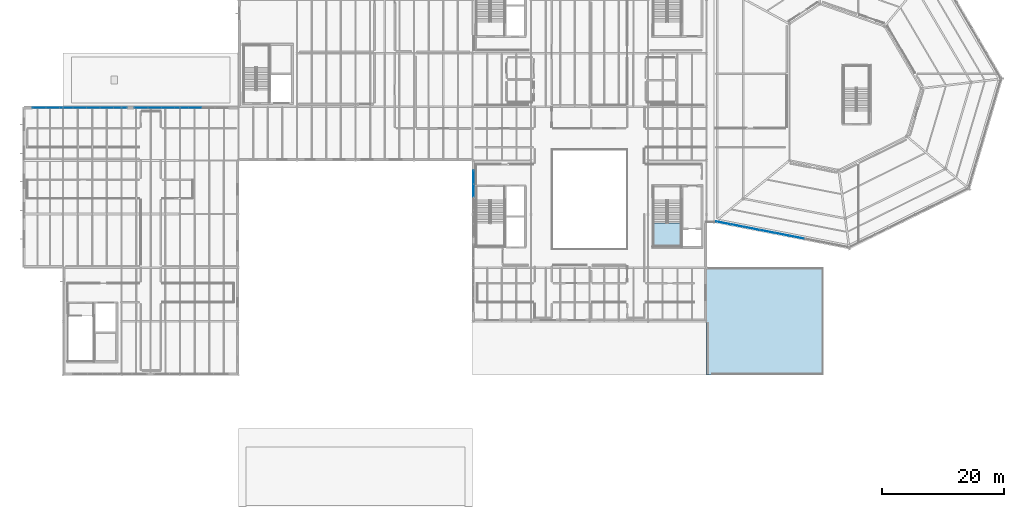
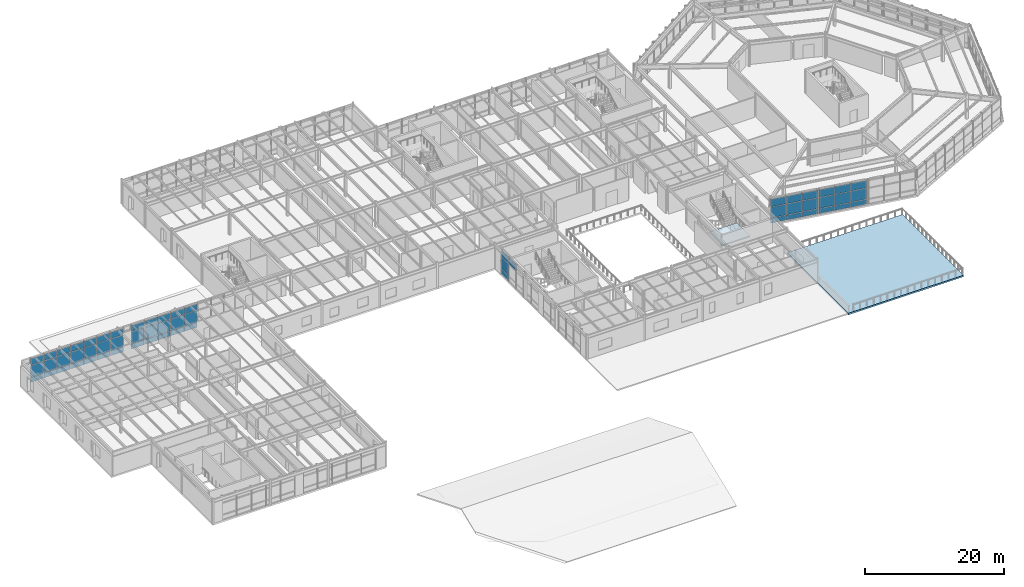
# One storey, part 39 of 69: 58 plates, 2 slabs, 6 elements without a shape of their own.
"""IFC4 building model written with IfcOpenShell, lengths in metres."""

from ifc_helpers import new_model, si_unit, direction, frame, origin, origin_2d, place, context, subcontext, project, spatial, polyline, rectangle, outline, extrude, material, layer, layer_set, type_object, element, aggregate, save


model = new_model("IFC4")

# Units and contexts
model_context = context("Model", 3, precision=1e-05, world=origin(), true_north=direction((0.0, 1.0)))
body_context = subcontext(model_context, "Body", "Model", "MODEL_VIEW")
ifc_project = project(units=[si_unit("LENGTHUNIT", "METRE"), si_unit("AREAUNIT", "SQUARE_METRE"), si_unit("VOLUMEUNIT", "CUBIC_METRE"), si_unit("PLANEANGLEUNIT", "RADIAN"), si_unit("MASSUNIT", "GRAM", prefix="KILO")], contexts=[model_context])

# Site, building, storey
site_placement = place(None, origin())
site = spatial("IfcSite", under=ifc_project, at=site_placement, CompositionType="ELEMENT")
building_placement = place(site_placement, origin())
building = spatial("IfcBuilding", under=site, at=building_placement, Name="Sarnbrook Museum", CompositionType="ELEMENT")
storey_placement = place(building_placement, frame((0.0, 0.0, 14.60009765625)))
storey = spatial("IfcBuildingStorey", under=building, at=storey_placement, Name="L03", CompositionType="ELEMENT", Elevation=14.60009765625)

# Curtain wall, plates
ifc_material_1 = material(Name="Thermally Broken Anodised Aluminium 6063-T6", Category="aluminium")
curtain_wall_type_1 = type_object("IfcCurtainWallType", Name="CurtainWall_CrystalFacet", PredefinedType="NOTDEFINED", material=ifc_material_1)
curtain_wall_1_placement = place(storey_placement, origin())
curtain_wall_1 = element("IfcCurtainWall", 1, at=curtain_wall_1_placement, inside=storey, type_object=curtain_wall_type_1, Name="Crystal Hall Facet Curtain Wall L03-F1.1", PredefinedType="NOTDEFINED")
ifc_material_2 = material(Name="Double-Glazed Low-Iron Laminated Safety Glass", Category="glass")
ifc_layer_1 = layer(ifc_material_2, 0.031982421875)
ifc_layer_set_1 = layer_set([ifc_layer_1], Name="Double-Glazed Low-Iron Laminated Safety Glass")
plate_type_1 = type_object("IfcPlateType", Name="CW_GlazedPanel_32", PredefinedType="CURTAIN_PANEL", material=ifc_layer_set_1)
plate_1_placement = place(storey_placement, frame((121.936279296875, 64.166259765625, 1.875), z_axis=(-0.191314442097, -0.981528799499, 0.0), x_axis=(0.981528799499, -0.191314442097, 0.0)))
plate_1 = element("IfcPlate", 2, at=plate_1_placement, type_object=plate_type_1, Name="Crystal Hall Facet Curtain Wall L03-F1.1 Glazed Panel 1-2", PredefinedType="CURTAIN_PANEL", context=body_context, shape_type="SweptSolid", body=[
    extrude(rectangle(XDim=2.354248046875, YDim=1.8798828125, at=origin_2d()), origin(), (0.0, 0.0, 1.0), 0.031982421875),
])
plate_2_placement = place(storey_placement, frame((121.936279296875, 64.166259765625, 3.544921875), z_axis=(-0.191314442097, -0.981528799499, 0.0), x_axis=(0.981528799499, -0.191314442097, 0.0)))
plate_2 = element("IfcPlate", 3, at=plate_2_placement, type_object=plate_type_1, Name="Crystal Hall Facet Curtain Wall L03-F1.1 Glazed Panel 1-3", PredefinedType="CURTAIN_PANEL", context=body_context, shape_type="SweptSolid", body=[
    extrude(rectangle(XDim=2.354248046875, YDim=1.320068359375, at=origin_2d()), origin(), (0.0, 0.0, 1.0), 0.031982421875),
])
plate_3_placement = place(storey_placement, frame((124.320556640625, 63.701416015625, 1.875), z_axis=(-0.191314442097, -0.981528799499, 0.0), x_axis=(0.981528799499, -0.191314442097, 0.0)))
plate_3 = element("IfcPlate", 4, at=plate_3_placement, type_object=plate_type_1, Name="Crystal Hall Facet Curtain Wall L03-F1.1 Glazed Panel 2-2", PredefinedType="CURTAIN_PANEL", context=body_context, shape_type="SweptSolid", body=[
    extrude(rectangle(XDim=2.354248046875, YDim=1.8798828125, at=origin_2d()), origin(), (0.0, 0.0, 1.0), 0.031982421875),
])
plate_4_placement = place(storey_placement, frame((124.320556640625, 63.701416015625, 3.544921875), z_axis=(-0.191314442097, -0.981528799499, 0.0), x_axis=(0.981528799499, -0.191314442097, 0.0)))
plate_4 = element("IfcPlate", 5, at=plate_4_placement, type_object=plate_type_1, Name="Crystal Hall Facet Curtain Wall L03-F1.1 Glazed Panel 2-3", PredefinedType="CURTAIN_PANEL", context=body_context, shape_type="SweptSolid", body=[
    extrude(rectangle(XDim=2.354248046875, YDim=1.320068359375, at=origin_2d()), origin(), (0.0, 0.0, 1.0), 0.031982421875),
])
plate_5_placement = place(storey_placement, frame((126.705078125, 63.23681640625, 1.875), z_axis=(-0.191314442097, -0.981528799499, 0.0), x_axis=(0.981528799499, -0.191314442097, 0.0)))
plate_5 = element("IfcPlate", 6, at=plate_5_placement, type_object=plate_type_1, Name="Crystal Hall Facet Curtain Wall L03-F1.1 Glazed Panel 3-2", PredefinedType="CURTAIN_PANEL", context=body_context, shape_type="SweptSolid", body=[
    extrude(rectangle(XDim=2.354248046875, YDim=1.8798828125, at=origin_2d()), origin(), (0.0, 0.0, 1.0), 0.031982421875),
])
plate_6_placement = place(storey_placement, frame((126.705078125, 63.23681640625, 3.544921875), z_axis=(-0.191314442097, -0.981528799499, 0.0), x_axis=(0.981528799499, -0.191314442097, 0.0)))
plate_6 = element("IfcPlate", 7, at=plate_6_placement, type_object=plate_type_1, Name="Crystal Hall Facet Curtain Wall L03-F1.1 Glazed Panel 3-3", PredefinedType="CURTAIN_PANEL", context=body_context, shape_type="SweptSolid", body=[
    extrude(rectangle(XDim=2.354248046875, YDim=1.320068359375, at=origin_2d()), origin(), (0.0, 0.0, 1.0), 0.031982421875),
])

curtain_wall_2_placement = place(storey_placement, origin())
curtain_wall_2 = element("IfcCurtainWall", 8, at=curtain_wall_2_placement, inside=storey, type_object=curtain_wall_type_1, Name="Crystal Hall Facet Curtain Wall L03-F1.2", PredefinedType="NOTDEFINED")
plate_7_placement = place(storey_placement, frame((129.246337890625, 62.741455078125, 1.875), z_axis=(-0.191314442097, -0.981528799499, 0.0), x_axis=(0.981528799499, -0.191314442097, 0.0)))
plate_7 = element("IfcPlate", 9, at=plate_7_placement, type_object=plate_type_1, Name="Crystal Hall Facet Curtain Wall L03-F1.2 Glazed Panel 1-2", PredefinedType="CURTAIN_PANEL", context=body_context, shape_type="SweptSolid", body=[
    extrude(rectangle(XDim=2.354248046875, YDim=1.8798828125, at=origin_2d()), origin(), (0.0, 0.0, 1.0), 0.031982421875),
])
plate_8_placement = place(storey_placement, frame((129.246337890625, 62.741455078125, 3.544921875), z_axis=(-0.191314442097, -0.981528799499, 0.0), x_axis=(0.981528799499, -0.191314442097, 0.0)))
plate_8 = element("IfcPlate", 10, at=plate_8_placement, type_object=plate_type_1, Name="Crystal Hall Facet Curtain Wall L03-F1.2 Glazed Panel 1-3", PredefinedType="CURTAIN_PANEL", context=body_context, shape_type="SweptSolid", body=[
    extrude(rectangle(XDim=2.354248046875, YDim=1.320068359375, at=origin_2d()), origin(), (0.0, 0.0, 1.0), 0.031982421875),
])
plate_9_placement = place(storey_placement, frame((131.630615234375, 62.276611328125, 1.875), z_axis=(-0.191314442097, -0.981528799499, 0.0), x_axis=(0.981528799499, -0.191314442097, 0.0)))
plate_9 = element("IfcPlate", 11, at=plate_9_placement, type_object=plate_type_1, Name="Crystal Hall Facet Curtain Wall L03-F1.2 Glazed Panel 2-2", PredefinedType="CURTAIN_PANEL", context=body_context, shape_type="SweptSolid", body=[
    extrude(rectangle(XDim=2.354248046875, YDim=1.8798828125, at=origin_2d()), origin(), (0.0, 0.0, 1.0), 0.031982421875),
])
plate_10_placement = place(storey_placement, frame((131.630615234375, 62.276611328125, 3.544921875), z_axis=(-0.191314442097, -0.981528799499, 0.0), x_axis=(0.981528799499, -0.191314442097, 0.0)))
plate_10 = element("IfcPlate", 12, at=plate_10_placement, type_object=plate_type_1, Name="Crystal Hall Facet Curtain Wall L03-F1.2 Glazed Panel 2-3", PredefinedType="CURTAIN_PANEL", context=body_context, shape_type="SweptSolid", body=[
    extrude(rectangle(XDim=2.354248046875, YDim=1.320068359375, at=origin_2d()), origin(), (0.0, 0.0, 1.0), 0.031982421875),
])
plate_11_placement = place(storey_placement, frame((134.014892578125, 61.81201171875, 1.875), z_axis=(-0.191314442097, -0.981528799499, 0.0), x_axis=(0.981528799499, -0.191314442097, 0.0)))
plate_11 = element("IfcPlate", 13, at=plate_11_placement, type_object=plate_type_1, Name="Crystal Hall Facet Curtain Wall L03-F1.2 Glazed Panel 3-2", PredefinedType="CURTAIN_PANEL", context=body_context, shape_type="SweptSolid", body=[
    extrude(rectangle(XDim=2.354248046875, YDim=1.8798828125, at=origin_2d()), origin(), (0.0, 0.0, 1.0), 0.031982421875),
])
plate_12_placement = place(storey_placement, frame((134.014892578125, 61.81201171875, 3.544921875), z_axis=(-0.191314442097, -0.981528799499, 0.0), x_axis=(0.981528799499, -0.191314442097, 0.0)))
plate_12 = element("IfcPlate", 14, at=plate_12_placement, type_object=plate_type_1, Name="Crystal Hall Facet Curtain Wall L03-F1.2 Glazed Panel 3-3", PredefinedType="CURTAIN_PANEL", context=body_context, shape_type="SweptSolid", body=[
    extrude(rectangle(XDim=2.354248046875, YDim=1.320068359375, at=origin_2d()), origin(), (0.0, 0.0, 1.0), 0.031982421875),
])

curtain_wall_type_2 = type_object("IfcCurtainWallType", Name="CurtainWall_GalleryRibbon", PredefinedType="NOTDEFINED", material=ifc_material_1)
curtain_wall_3_placement = place(storey_placement, origin())
curtain_wall_3 = element("IfcCurtainWall", 15, at=curtain_wall_3_placement, inside=storey, type_object=curtain_wall_type_2, Name="Gallery Ribbon Curtain Wall L03-2.1", PredefinedType="NOTDEFINED")
plate_13_placement = place(storey_placement, frame((80.98779296875, 71.68408203125, 1.949951171875), z_axis=(-1.0, 0.0, 0.0), x_axis=(0.0, -1.0, 0.0)))
plate_13 = element("IfcPlate", 16, at=plate_13_placement, type_object=plate_type_1, Name="Gallery Ribbon Curtain Wall L03-2.1 Glazed Panel 1-2", PredefinedType="CURTAIN_PANEL", context=body_context, shape_type="SweptSolid", body=[
    extrude(rectangle(XDim=2.116943359375, YDim=2.030029296875, at=origin_2d()), origin(), (0.0, 0.0, 1.0), 0.031982421875),
])
plate_14_placement = place(storey_placement, frame((80.98779296875, 71.68408203125, 3.579833984375), z_axis=(-1.0, 0.0, 0.0), x_axis=(0.0, -1.0, 0.0)))
plate_14 = element("IfcPlate", 17, at=plate_14_placement, type_object=plate_type_1, Name="Gallery Ribbon Curtain Wall L03-2.1 Glazed Panel 1-3", PredefinedType="CURTAIN_PANEL", context=body_context, shape_type="SweptSolid", body=[
    extrude(rectangle(XDim=2.116943359375, YDim=1.090087890625, at=origin_2d()), origin(), (0.0, 0.0, 1.0), 0.031982421875),
])
plate_15_placement = place(storey_placement, frame((80.98779296875, 69.491943359375, 3.579833984375), z_axis=(-1.0, 0.0, 0.0), x_axis=(0.0, -1.0, 0.0)))
plate_15 = element("IfcPlate", 18, at=plate_15_placement, type_object=plate_type_1, Name="Gallery Ribbon Curtain Wall L03-2.1 Glazed Panel 2-3", PredefinedType="CURTAIN_PANEL", context=body_context, shape_type="SweptSolid", body=[
    extrude(rectangle(XDim=2.116943359375, YDim=1.090087890625, at=origin_2d()), origin(), (0.0, 0.0, 1.0), 0.031982421875),
])

curtain_wall_4_placement = place(storey_placement, origin())
curtain_wall_4 = element("IfcCurtainWall", 19, at=curtain_wall_4_placement, inside=storey, type_object=curtain_wall_type_2, Name="Gallery Ribbon Curtain Wall L03-10.1", PredefinedType="NOTDEFINED")
plate_16_placement = place(storey_placement, frame((35.258544921875, 83.01220703125, 1.949951171875), z_axis=(0.0, 1.0, 0.0), x_axis=(-1.0, 0.0, 0.0)))
plate_16 = element("IfcPlate", 20, at=plate_16_placement, type_object=plate_type_1, Name="Gallery Ribbon Curtain Wall L03-10.1 Glazed Panel 3-2", PredefinedType="CURTAIN_PANEL", context=body_context, shape_type="SweptSolid", body=[
    extrude(rectangle(XDim=2.133544921875, YDim=2.030029296875, at=origin_2d()), origin(), (0.0, 0.0, 1.0), 0.031982421875),
])
plate_17_placement = place(storey_placement, frame((35.258544921875, 83.01220703125, 3.579833984375), z_axis=(0.0, 1.0, 0.0), x_axis=(-1.0, 0.0, 0.0)))
plate_17 = element("IfcPlate", 21, at=plate_17_placement, type_object=plate_type_1, Name="Gallery Ribbon Curtain Wall L03-10.1 Glazed Panel 3-3", PredefinedType="CURTAIN_PANEL", context=body_context, shape_type="SweptSolid", body=[
    extrude(rectangle(XDim=2.133544921875, YDim=1.090087890625, at=origin_2d()), origin(), (0.0, 0.0, 1.0), 0.031982421875),
])
plate_18_placement = place(storey_placement, frame((33.050048828125, 83.01220703125, 1.949951171875), z_axis=(0.0, 1.0, 0.0), x_axis=(-1.0, 0.0, 0.0)))
plate_18 = element("IfcPlate", 22, at=plate_18_placement, type_object=plate_type_1, Name="Gallery Ribbon Curtain Wall L03-10.1 Glazed Panel 4-2", PredefinedType="CURTAIN_PANEL", context=body_context, shape_type="SweptSolid", body=[
    extrude(rectangle(XDim=2.133544921875, YDim=2.030029296875, at=origin_2d()), origin(), (0.0, 0.0, 1.0), 0.031982421875),
])
plate_19_placement = place(storey_placement, frame((33.050048828125, 83.01220703125, 3.579833984375), z_axis=(0.0, 1.0, 0.0), x_axis=(-1.0, 0.0, 0.0)))
plate_19 = element("IfcPlate", 23, at=plate_19_placement, type_object=plate_type_1, Name="Gallery Ribbon Curtain Wall L03-10.1 Glazed Panel 4-3", PredefinedType="CURTAIN_PANEL", context=body_context, shape_type="SweptSolid", body=[
    extrude(rectangle(XDim=2.133544921875, YDim=1.090087890625, at=origin_2d()), origin(), (0.0, 0.0, 1.0), 0.031982421875),
])
plate_20_placement = place(storey_placement, frame((30.84130859375, 83.01220703125, 1.949951171875), z_axis=(0.0, 1.0, 0.0), x_axis=(-1.0, 0.0, 0.0)))
plate_20 = element("IfcPlate", 24, at=plate_20_placement, type_object=plate_type_1, Name="Gallery Ribbon Curtain Wall L03-10.1 Glazed Panel 5-2", PredefinedType="CURTAIN_PANEL", context=body_context, shape_type="SweptSolid", body=[
    extrude(rectangle(XDim=2.133544921875, YDim=2.030029296875, at=origin_2d()), origin(), (0.0, 0.0, 1.0), 0.031982421875),
])
plate_21_placement = place(storey_placement, frame((30.84130859375, 83.01220703125, 3.579833984375), z_axis=(0.0, 1.0, 0.0), x_axis=(-1.0, 0.0, 0.0)))
plate_21 = element("IfcPlate", 25, at=plate_21_placement, type_object=plate_type_1, Name="Gallery Ribbon Curtain Wall L03-10.1 Glazed Panel 5-3", PredefinedType="CURTAIN_PANEL", context=body_context, shape_type="SweptSolid", body=[
    extrude(rectangle(XDim=2.133544921875, YDim=1.090087890625, at=origin_2d()), origin(), (0.0, 0.0, 1.0), 0.031982421875),
])
plate_22_placement = place(storey_placement, frame((28.6328125, 83.01220703125, 1.949951171875), z_axis=(0.0, 1.0, 0.0), x_axis=(-1.0, 0.0, 0.0)))
plate_22 = element("IfcPlate", 26, at=plate_22_placement, type_object=plate_type_1, Name="Gallery Ribbon Curtain Wall L03-10.1 Glazed Panel 6-2", PredefinedType="CURTAIN_PANEL", context=body_context, shape_type="SweptSolid", body=[
    extrude(rectangle(XDim=2.133544921875, YDim=2.030029296875, at=origin_2d()), origin(), (0.0, 0.0, 1.0), 0.031982421875),
])
plate_23_placement = place(storey_placement, frame((28.6328125, 83.01220703125, 3.579833984375), z_axis=(0.0, 1.0, 0.0), x_axis=(-1.0, 0.0, 0.0)))
plate_23 = element("IfcPlate", 27, at=plate_23_placement, type_object=plate_type_1, Name="Gallery Ribbon Curtain Wall L03-10.1 Glazed Panel 6-3", PredefinedType="CURTAIN_PANEL", context=body_context, shape_type="SweptSolid", body=[
    extrude(rectangle(XDim=2.133544921875, YDim=1.090087890625, at=origin_2d()), origin(), (0.0, 0.0, 1.0), 0.031982421875),
])
plate_24_placement = place(storey_placement, frame((26.42431640625, 83.01220703125, 1.949951171875), z_axis=(0.0, 1.0, 0.0), x_axis=(-1.0, 0.0, 0.0)))
plate_24 = element("IfcPlate", 28, at=plate_24_placement, type_object=plate_type_1, Name="Gallery Ribbon Curtain Wall L03-10.1 Glazed Panel 7-2", PredefinedType="CURTAIN_PANEL", context=body_context, shape_type="SweptSolid", body=[
    extrude(rectangle(XDim=2.133544921875, YDim=2.030029296875, at=origin_2d()), origin(), (0.0, 0.0, 1.0), 0.031982421875),
])
plate_25_placement = place(storey_placement, frame((26.42431640625, 83.01220703125, 3.579833984375), z_axis=(0.0, 1.0, 0.0), x_axis=(-1.0, 0.0, 0.0)))
plate_25 = element("IfcPlate", 29, at=plate_25_placement, type_object=plate_type_1, Name="Gallery Ribbon Curtain Wall L03-10.1 Glazed Panel 7-3", PredefinedType="CURTAIN_PANEL", context=body_context, shape_type="SweptSolid", body=[
    extrude(rectangle(XDim=2.133544921875, YDim=1.090087890625, at=origin_2d()), origin(), (0.0, 0.0, 1.0), 0.031982421875),
])

curtain_wall_5_placement = place(storey_placement, origin())
curtain_wall_5 = element("IfcCurtainWall", 30, at=curtain_wall_5_placement, inside=storey, type_object=curtain_wall_type_2, Name="Gallery Ribbon Curtain Wall L03-10.2", PredefinedType="NOTDEFINED")
plate_26_placement = place(storey_placement, frame((22.9755859375, 83.01220703125, 1.949951171875), z_axis=(0.0, 1.0, 0.0), x_axis=(-1.0, 0.0, 0.0)))
plate_26 = element("IfcPlate", 31, at=plate_26_placement, type_object=plate_type_1, Name="Gallery Ribbon Curtain Wall L03-10.2 Glazed Panel 1-2", PredefinedType="CURTAIN_PANEL", context=body_context, shape_type="SweptSolid", body=[
    extrude(rectangle(XDim=2.133544921875, YDim=2.030029296875, at=origin_2d()), origin(), (0.0, 0.0, 1.0), 0.031982421875),
])
plate_27_placement = place(storey_placement, frame((22.9755859375, 83.01220703125, 3.579833984375), z_axis=(0.0, 1.0, 0.0), x_axis=(-1.0, 0.0, 0.0)))
plate_27 = element("IfcPlate", 32, at=plate_27_placement, type_object=plate_type_1, Name="Gallery Ribbon Curtain Wall L03-10.2 Glazed Panel 1-3", PredefinedType="CURTAIN_PANEL", context=body_context, shape_type="SweptSolid", body=[
    extrude(rectangle(XDim=2.133544921875, YDim=1.090087890625, at=origin_2d()), origin(), (0.0, 0.0, 1.0), 0.031982421875),
])
plate_28_placement = place(storey_placement, frame((20.76708984375, 83.01220703125, 1.949951171875), z_axis=(0.0, 1.0, 0.0), x_axis=(-1.0, 0.0, 0.0)))
plate_28 = element("IfcPlate", 33, at=plate_28_placement, type_object=plate_type_1, Name="Gallery Ribbon Curtain Wall L03-10.2 Glazed Panel 2-2", PredefinedType="CURTAIN_PANEL", context=body_context, shape_type="SweptSolid", body=[
    extrude(rectangle(XDim=2.133544921875, YDim=2.030029296875, at=origin_2d()), origin(), (0.0, 0.0, 1.0), 0.031982421875),
])
plate_29_placement = place(storey_placement, frame((20.76708984375, 83.01220703125, 3.579833984375), z_axis=(0.0, 1.0, 0.0), x_axis=(-1.0, 0.0, 0.0)))
plate_29 = element("IfcPlate", 34, at=plate_29_placement, type_object=plate_type_1, Name="Gallery Ribbon Curtain Wall L03-10.2 Glazed Panel 2-3", PredefinedType="CURTAIN_PANEL", context=body_context, shape_type="SweptSolid", body=[
    extrude(rectangle(XDim=2.133544921875, YDim=1.090087890625, at=origin_2d()), origin(), (0.0, 0.0, 1.0), 0.031982421875),
])
plate_30_placement = place(storey_placement, frame((18.55859375, 83.01220703125, 1.949951171875), z_axis=(0.0, 1.0, 0.0), x_axis=(-1.0, 0.0, 0.0)))
plate_30 = element("IfcPlate", 35, at=plate_30_placement, type_object=plate_type_1, Name="Gallery Ribbon Curtain Wall L03-10.2 Glazed Panel 3-2", PredefinedType="CURTAIN_PANEL", context=body_context, shape_type="SweptSolid", body=[
    extrude(rectangle(XDim=2.133544921875, YDim=2.030029296875, at=origin_2d()), origin(), (0.0, 0.0, 1.0), 0.031982421875),
])
plate_31_placement = place(storey_placement, frame((18.55859375, 83.01220703125, 3.579833984375), z_axis=(0.0, 1.0, 0.0), x_axis=(-1.0, 0.0, 0.0)))
plate_31 = element("IfcPlate", 36, at=plate_31_placement, type_object=plate_type_1, Name="Gallery Ribbon Curtain Wall L03-10.2 Glazed Panel 3-3", PredefinedType="CURTAIN_PANEL", context=body_context, shape_type="SweptSolid", body=[
    extrude(rectangle(XDim=2.133544921875, YDim=1.090087890625, at=origin_2d()), origin(), (0.0, 0.0, 1.0), 0.031982421875),
])
plate_32_placement = place(storey_placement, frame((16.35009765625, 83.01220703125, 1.949951171875), z_axis=(0.0, 1.0, 0.0), x_axis=(-1.0, 0.0, 0.0)))
plate_32 = element("IfcPlate", 37, at=plate_32_placement, type_object=plate_type_1, Name="Gallery Ribbon Curtain Wall L03-10.2 Glazed Panel 4-2", PredefinedType="CURTAIN_PANEL", context=body_context, shape_type="SweptSolid", body=[
    extrude(rectangle(XDim=2.133544921875, YDim=2.030029296875, at=origin_2d()), origin(), (0.0, 0.0, 1.0), 0.031982421875),
])
plate_33_placement = place(storey_placement, frame((16.35009765625, 83.01220703125, 3.579833984375), z_axis=(0.0, 1.0, 0.0), x_axis=(-1.0, 0.0, 0.0)))
plate_33 = element("IfcPlate", 38, at=plate_33_placement, type_object=plate_type_1, Name="Gallery Ribbon Curtain Wall L03-10.2 Glazed Panel 4-3", PredefinedType="CURTAIN_PANEL", context=body_context, shape_type="SweptSolid", body=[
    extrude(rectangle(XDim=2.133544921875, YDim=1.090087890625, at=origin_2d()), origin(), (0.0, 0.0, 1.0), 0.031982421875),
])
plate_34_placement = place(storey_placement, frame((14.141357421875, 83.01220703125, 1.949951171875), z_axis=(0.0, 1.0, 0.0), x_axis=(-1.0, 0.0, 0.0)))
plate_34 = element("IfcPlate", 39, at=plate_34_placement, type_object=plate_type_1, Name="Gallery Ribbon Curtain Wall L03-10.2 Glazed Panel 5-2", PredefinedType="CURTAIN_PANEL", context=body_context, shape_type="SweptSolid", body=[
    extrude(rectangle(XDim=2.133544921875, YDim=2.030029296875, at=origin_2d()), origin(), (0.0, 0.0, 1.0), 0.031982421875),
])
plate_35_placement = place(storey_placement, frame((14.141357421875, 83.01220703125, 3.579833984375), z_axis=(0.0, 1.0, 0.0), x_axis=(-1.0, 0.0, 0.0)))
plate_35 = element("IfcPlate", 40, at=plate_35_placement, type_object=plate_type_1, Name="Gallery Ribbon Curtain Wall L03-10.2 Glazed Panel 5-3", PredefinedType="CURTAIN_PANEL", context=body_context, shape_type="SweptSolid", body=[
    extrude(rectangle(XDim=2.133544921875, YDim=1.090087890625, at=origin_2d()), origin(), (0.0, 0.0, 1.0), 0.031982421875),
])
plate_36_placement = place(storey_placement, frame((11.932861328125, 83.01220703125, 1.949951171875), z_axis=(0.0, 1.0, 0.0), x_axis=(-1.0, 0.0, 0.0)))
plate_36 = element("IfcPlate", 41, at=plate_36_placement, type_object=plate_type_1, Name="Gallery Ribbon Curtain Wall L03-10.2 Glazed Panel 6-2", PredefinedType="CURTAIN_PANEL", context=body_context, shape_type="SweptSolid", body=[
    extrude(rectangle(XDim=2.133544921875, YDim=2.030029296875, at=origin_2d()), origin(), (0.0, 0.0, 1.0), 0.031982421875),
])
plate_37_placement = place(storey_placement, frame((11.932861328125, 83.01220703125, 3.579833984375), z_axis=(0.0, 1.0, 0.0), x_axis=(-1.0, 0.0, 0.0)))
plate_37 = element("IfcPlate", 42, at=plate_37_placement, type_object=plate_type_1, Name="Gallery Ribbon Curtain Wall L03-10.2 Glazed Panel 6-3", PredefinedType="CURTAIN_PANEL", context=body_context, shape_type="SweptSolid", body=[
    extrude(rectangle(XDim=2.133544921875, YDim=1.090087890625, at=origin_2d()), origin(), (0.0, 0.0, 1.0), 0.031982421875),
])
plate_38_placement = place(storey_placement, frame((9.724365234375, 83.01220703125, 1.949951171875), z_axis=(0.0, 1.0, 0.0), x_axis=(-1.0, 0.0, 0.0)))
plate_38 = element("IfcPlate", 43, at=plate_38_placement, type_object=plate_type_1, Name="Gallery Ribbon Curtain Wall L03-10.2 Glazed Panel 7-2", PredefinedType="CURTAIN_PANEL", context=body_context, shape_type="SweptSolid", body=[
    extrude(rectangle(XDim=2.133544921875, YDim=2.030029296875, at=origin_2d()), origin(), (0.0, 0.0, 1.0), 0.031982421875),
])
plate_39_placement = place(storey_placement, frame((9.724365234375, 83.01220703125, 3.579833984375), z_axis=(0.0, 1.0, 0.0), x_axis=(-1.0, 0.0, 0.0)))
plate_39 = element("IfcPlate", 44, at=plate_39_placement, type_object=plate_type_1, Name="Gallery Ribbon Curtain Wall L03-10.2 Glazed Panel 7-3", PredefinedType="CURTAIN_PANEL", context=body_context, shape_type="SweptSolid", body=[
    extrude(rectangle(XDim=2.133544921875, YDim=1.090087890625, at=origin_2d()), origin(), (0.0, 0.0, 1.0), 0.031982421875),
])

# Plate
ifc_material_3 = material(Name="Patinated Architectural Bronze")
ifc_layer_2 = layer(ifc_material_3, 0.044921875)
ifc_layer_set_2 = layer_set([ifc_layer_2], Name="Patinated Architectural Bronze")
plate_type_2 = type_object("IfcPlateType", Name="CW_SpandrelPanel_45", PredefinedType="CURTAIN_PANEL", material=ifc_layer_set_2)
plate_40_placement = place(storey_placement, frame((121.9375, 64.172607421875, 0.449951171875), z_axis=(-0.191314442097, -0.981528799499, 0.0), x_axis=(0.981528799499, -0.191314442097, 0.0)))
plate_40 = element("IfcPlate", 45, at=plate_40_placement, type_object=plate_type_2, Name="Crystal Hall Facet Curtain Wall L03-F1.1 Spandrel Panel 1-1", PredefinedType="CURTAIN_PANEL", context=body_context, shape_type="SweptSolid", body=[
    extrude(rectangle(XDim=2.354248046875, YDim=0.830078125, at=origin_2d()), origin(), (0.0, 0.0, 1.0), 0.044921875),
])

plate_41_placement = place(storey_placement, frame((124.32177734375, 63.707763671875, 0.449951171875), z_axis=(-0.191314442097, -0.981528799499, 0.0), x_axis=(0.981528799499, -0.191314442097, 0.0)))
plate_41 = element("IfcPlate", 46, at=plate_41_placement, type_object=plate_type_2, Name="Crystal Hall Facet Curtain Wall L03-F1.1 Spandrel Panel 2-1", PredefinedType="CURTAIN_PANEL", context=body_context, shape_type="SweptSolid", body=[
    extrude(rectangle(XDim=2.354248046875, YDim=0.830078125, at=origin_2d()), origin(), (0.0, 0.0, 1.0), 0.044921875),
])

plate_42_placement = place(storey_placement, frame((126.706298828125, 63.2431640625, 0.449951171875), z_axis=(-0.191314442097, -0.981528799499, 0.0), x_axis=(0.981528799499, -0.191314442097, 0.0)))
plate_42 = element("IfcPlate", 47, at=plate_42_placement, type_object=plate_type_2, Name="Crystal Hall Facet Curtain Wall L03-F1.1 Spandrel Panel 3-1", PredefinedType="CURTAIN_PANEL", context=body_context, shape_type="SweptSolid", body=[
    extrude(rectangle(XDim=2.354248046875, YDim=0.830078125, at=origin_2d()), origin(), (0.0, 0.0, 1.0), 0.044921875),
])

aggregate(curtain_wall_1, [plate_40, plate_1, plate_2, plate_41, plate_3, plate_4, plate_42, plate_5, plate_6])

plate_43_placement = place(storey_placement, frame((129.24755859375, 62.747802734375, 0.449951171875), z_axis=(-0.191314442097, -0.981528799499, 0.0), x_axis=(0.981528799499, -0.191314442097, 0.0)))
plate_43 = element("IfcPlate", 48, at=plate_43_placement, type_object=plate_type_2, Name="Crystal Hall Facet Curtain Wall L03-F1.2 Spandrel Panel 1-1", PredefinedType="CURTAIN_PANEL", context=body_context, shape_type="SweptSolid", body=[
    extrude(rectangle(XDim=2.354248046875, YDim=0.830078125, at=origin_2d()), origin(), (0.0, 0.0, 1.0), 0.044921875),
])

plate_44_placement = place(storey_placement, frame((131.6318359375, 62.282958984375, 0.449951171875), z_axis=(-0.191314442097, -0.981528799499, 0.0), x_axis=(0.981528799499, -0.191314442097, 0.0)))
plate_44 = element("IfcPlate", 49, at=plate_44_placement, type_object=plate_type_2, Name="Crystal Hall Facet Curtain Wall L03-F1.2 Spandrel Panel 2-1", PredefinedType="CURTAIN_PANEL", context=body_context, shape_type="SweptSolid", body=[
    extrude(rectangle(XDim=2.354248046875, YDim=0.830078125, at=origin_2d()), origin(), (0.0, 0.0, 1.0), 0.044921875),
])

plate_45_placement = place(storey_placement, frame((134.01611328125, 61.818359375, 0.449951171875), z_axis=(-0.191314442097, -0.981528799499, 0.0), x_axis=(0.981528799499, -0.191314442097, 0.0)))
plate_45 = element("IfcPlate", 50, at=plate_45_placement, type_object=plate_type_2, Name="Crystal Hall Facet Curtain Wall L03-F1.2 Spandrel Panel 3-1", PredefinedType="CURTAIN_PANEL", context=body_context, shape_type="SweptSolid", body=[
    extrude(rectangle(XDim=2.354248046875, YDim=0.830078125, at=origin_2d()), origin(), (0.0, 0.0, 1.0), 0.044921875),
])

aggregate(curtain_wall_2, [plate_43, plate_7, plate_8, plate_44, plate_9, plate_10, plate_45, plate_11, plate_12])

plate_46_placement = place(storey_placement, frame((80.994384765625, 71.68408203125, 0.449951171875), z_axis=(-1.0, 0.0, 0.0), x_axis=(0.0, -1.0, 0.0)))
plate_46 = element("IfcPlate", 51, at=plate_46_placement, type_object=plate_type_2, Name="Gallery Ribbon Curtain Wall L03-2.1 Spandrel Panel 1-1", PredefinedType="CURTAIN_PANEL", context=body_context, shape_type="SweptSolid", body=[
    extrude(rectangle(XDim=2.116943359375, YDim=0.830078125, at=origin_2d()), origin(), (0.0, 0.0, 1.0), 0.044921875),
])

aggregate(curtain_wall_3, [plate_46, plate_13, plate_14, plate_15])

plate_47_placement = place(storey_placement, frame((35.258544921875, 83.005615234375, 0.449951171875), z_axis=(0.0, 1.0, 0.0), x_axis=(-1.0, 0.0, 0.0)))
plate_47 = element("IfcPlate", 52, at=plate_47_placement, type_object=plate_type_2, Name="Gallery Ribbon Curtain Wall L03-10.1 Spandrel Panel 3-1", PredefinedType="CURTAIN_PANEL", context=body_context, shape_type="SweptSolid", body=[
    extrude(rectangle(XDim=2.133544921875, YDim=0.830078125, at=origin_2d()), origin(), (0.0, 0.0, 1.0), 0.044921875),
])

plate_48_placement = place(storey_placement, frame((33.050048828125, 83.005615234375, 0.449951171875), z_axis=(0.0, 1.0, 0.0), x_axis=(-1.0, 0.0, 0.0)))
plate_48 = element("IfcPlate", 53, at=plate_48_placement, type_object=plate_type_2, Name="Gallery Ribbon Curtain Wall L03-10.1 Spandrel Panel 4-1", PredefinedType="CURTAIN_PANEL", context=body_context, shape_type="SweptSolid", body=[
    extrude(rectangle(XDim=2.133544921875, YDim=0.830078125, at=origin_2d()), origin(), (0.0, 0.0, 1.0), 0.044921875),
])

plate_49_placement = place(storey_placement, frame((30.84130859375, 83.005615234375, 0.449951171875), z_axis=(0.0, 1.0, 0.0), x_axis=(-1.0, 0.0, 0.0)))
plate_49 = element("IfcPlate", 54, at=plate_49_placement, type_object=plate_type_2, Name="Gallery Ribbon Curtain Wall L03-10.1 Spandrel Panel 5-1", PredefinedType="CURTAIN_PANEL", context=body_context, shape_type="SweptSolid", body=[
    extrude(rectangle(XDim=2.133544921875, YDim=0.830078125, at=origin_2d()), origin(), (0.0, 0.0, 1.0), 0.044921875),
])

plate_50_placement = place(storey_placement, frame((28.6328125, 83.005615234375, 0.449951171875), z_axis=(0.0, 1.0, 0.0), x_axis=(-1.0, 0.0, 0.0)))
plate_50 = element("IfcPlate", 55, at=plate_50_placement, type_object=plate_type_2, Name="Gallery Ribbon Curtain Wall L03-10.1 Spandrel Panel 6-1", PredefinedType="CURTAIN_PANEL", context=body_context, shape_type="SweptSolid", body=[
    extrude(rectangle(XDim=2.133544921875, YDim=0.830078125, at=origin_2d()), origin(), (0.0, 0.0, 1.0), 0.044921875),
])

plate_51_placement = place(storey_placement, frame((26.42431640625, 83.005615234375, 0.449951171875), z_axis=(0.0, 1.0, 0.0), x_axis=(-1.0, 0.0, 0.0)))
plate_51 = element("IfcPlate", 56, at=plate_51_placement, type_object=plate_type_2, Name="Gallery Ribbon Curtain Wall L03-10.1 Spandrel Panel 7-1", PredefinedType="CURTAIN_PANEL", context=body_context, shape_type="SweptSolid", body=[
    extrude(rectangle(XDim=2.133544921875, YDim=0.830078125, at=origin_2d()), origin(), (0.0, 0.0, 1.0), 0.044921875),
])

aggregate(curtain_wall_4, [plate_47, plate_16, plate_17, plate_48, plate_18, plate_19, plate_49, plate_20, plate_21, plate_50, plate_22, plate_23, plate_51, plate_24, plate_25])

plate_52_placement = place(storey_placement, frame((22.9755859375, 83.005615234375, 0.449951171875), z_axis=(0.0, 1.0, 0.0), x_axis=(-1.0, 0.0, 0.0)))
plate_52 = element("IfcPlate", 57, at=plate_52_placement, type_object=plate_type_2, Name="Gallery Ribbon Curtain Wall L03-10.2 Spandrel Panel 1-1", PredefinedType="CURTAIN_PANEL", context=body_context, shape_type="SweptSolid", body=[
    extrude(rectangle(XDim=2.133544921875, YDim=0.830078125, at=origin_2d()), origin(), (0.0, 0.0, 1.0), 0.044921875),
])

plate_53_placement = place(storey_placement, frame((20.76708984375, 83.005615234375, 0.449951171875), z_axis=(0.0, 1.0, 0.0), x_axis=(-1.0, 0.0, 0.0)))
plate_53 = element("IfcPlate", 58, at=plate_53_placement, type_object=plate_type_2, Name="Gallery Ribbon Curtain Wall L03-10.2 Spandrel Panel 2-1", PredefinedType="CURTAIN_PANEL", context=body_context, shape_type="SweptSolid", body=[
    extrude(rectangle(XDim=2.133544921875, YDim=0.830078125, at=origin_2d()), origin(), (0.0, 0.0, 1.0), 0.044921875),
])

plate_54_placement = place(storey_placement, frame((18.55859375, 83.005615234375, 0.449951171875), z_axis=(0.0, 1.0, 0.0), x_axis=(-1.0, 0.0, 0.0)))
plate_54 = element("IfcPlate", 59, at=plate_54_placement, type_object=plate_type_2, Name="Gallery Ribbon Curtain Wall L03-10.2 Spandrel Panel 3-1", PredefinedType="CURTAIN_PANEL", context=body_context, shape_type="SweptSolid", body=[
    extrude(rectangle(XDim=2.133544921875, YDim=0.830078125, at=origin_2d()), origin(), (0.0, 0.0, 1.0), 0.044921875),
])

plate_55_placement = place(storey_placement, frame((16.35009765625, 83.005615234375, 0.449951171875), z_axis=(0.0, 1.0, 0.0), x_axis=(-1.0, 0.0, 0.0)))
plate_55 = element("IfcPlate", 60, at=plate_55_placement, type_object=plate_type_2, Name="Gallery Ribbon Curtain Wall L03-10.2 Spandrel Panel 4-1", PredefinedType="CURTAIN_PANEL", context=body_context, shape_type="SweptSolid", body=[
    extrude(rectangle(XDim=2.133544921875, YDim=0.830078125, at=origin_2d()), origin(), (0.0, 0.0, 1.0), 0.044921875),
])

plate_56_placement = place(storey_placement, frame((14.141357421875, 83.005615234375, 0.449951171875), z_axis=(0.0, 1.0, 0.0), x_axis=(-1.0, 0.0, 0.0)))
plate_56 = element("IfcPlate", 61, at=plate_56_placement, type_object=plate_type_2, Name="Gallery Ribbon Curtain Wall L03-10.2 Spandrel Panel 5-1", PredefinedType="CURTAIN_PANEL", context=body_context, shape_type="SweptSolid", body=[
    extrude(rectangle(XDim=2.133544921875, YDim=0.830078125, at=origin_2d()), origin(), (0.0, 0.0, 1.0), 0.044921875),
])

plate_57_placement = place(storey_placement, frame((11.932861328125, 83.005615234375, 0.449951171875), z_axis=(0.0, 1.0, 0.0), x_axis=(-1.0, 0.0, 0.0)))
plate_57 = element("IfcPlate", 62, at=plate_57_placement, type_object=plate_type_2, Name="Gallery Ribbon Curtain Wall L03-10.2 Spandrel Panel 6-1", PredefinedType="CURTAIN_PANEL", context=body_context, shape_type="SweptSolid", body=[
    extrude(rectangle(XDim=2.133544921875, YDim=0.830078125, at=origin_2d()), origin(), (0.0, 0.0, 1.0), 0.044921875),
])

plate_58_placement = place(storey_placement, frame((9.724365234375, 83.005615234375, 0.449951171875), z_axis=(0.0, 1.0, 0.0), x_axis=(-1.0, 0.0, 0.0)))
plate_58 = element("IfcPlate", 63, at=plate_58_placement, type_object=plate_type_2, Name="Gallery Ribbon Curtain Wall L03-10.2 Spandrel Panel 7-1", PredefinedType="CURTAIN_PANEL", context=body_context, shape_type="SweptSolid", body=[
    extrude(rectangle(XDim=2.133544921875, YDim=0.830078125, at=origin_2d()), origin(), (0.0, 0.0, 1.0), 0.044921875),
])

aggregate(curtain_wall_5, [plate_52, plate_26, plate_27, plate_53, plate_28, plate_29, plate_54, plate_30, plate_31, plate_55, plate_32, plate_33, plate_56, plate_34, plate_35, plate_57, plate_36, plate_37, plate_58, plate_38, plate_39])

# Stair, slab
ifc_material_4 = material(Name="Concrete N40 (AS 3600, f'c = 40 MPa)", Category="concrete")
stair_type = type_object("IfcStairType", Name="Stair_ST03", PredefinedType="HALF_TURN_STAIR", material=ifc_material_4)
stair_placement = place(storey_placement, origin())
stair = element("IfcStair", 64, at=stair_placement, inside=storey, type_object=stair_type, Name="L03 Exit Stair ST1", PredefinedType="HALF_TURN_STAIR")
ifc_layer_3 = layer(ifc_material_4, 0.199951171875)
ifc_layer_set_3 = layer_set([ifc_layer_3], Name="Concrete N40 (AS 3600, f'c = 40 MPa)")
slab_type_1 = type_object("IfcSlabType", Name="Landing_200", PredefinedType="LANDING", material=ifc_layer_set_3)
slab_1_placement = place(storey_placement, frame((0.0, 0.0, 2.0498046875)))
slab_1 = element("IfcSlab", 65, at=slab_1_placement, type_object=slab_type_1, Name="ST1 landing 1", PredefinedType="LANDING", context=body_context, shape_type="SweptSolid", body=[
    extrude(outline(polyline([(110.43994140625, 64.110107421875), (110.43994140625, 60.300048828125), (115.06005859375, 60.300048828125), (115.06005859375, 64.110107421875), (110.43994140625, 64.110107421875)])), origin(), (0.0, 0.0, 1.0), 0.2001953125),
])
aggregate(stair, [slab_1])

# Slab
ifc_layer_4 = layer(ifc_material_4, 0.27001953125)
ifc_layer_set_4 = layer_set([ifc_layer_4], Name="Concrete N40 (AS 3600, f'c = 40 MPa)")
slab_type_2 = type_object("IfcSlabType", Name="TerraceSlab_270", PredefinedType="FLOOR", material=ifc_layer_set_4)
slab_2_placement = place(storey_placement, frame((0.0, 0.0, -0.27001953125)))
element("IfcSlab", 66, at=slab_2_placement, inside=storey, type_object=slab_type_2, Name="V3E Planted Roof Garden Terrace Slab L03", PredefinedType="FLOOR", context=body_context, shape_type="SweptSolid", body=[
    extrude(outline(polyline([(119.199951171875, 47.99609375), (119.2041015625, 47.99609375), (119.2041015625, 56.800048828125), (138.364990234375, 56.800048828125), (138.364990234375, 39.199951171875), (119.199951171875, 39.199951171875), (119.199951171875, 47.99609375)])), origin(), (0.0, 0.0, 1.0), 0.27001953125),
])

save(model, "model.ifc")
